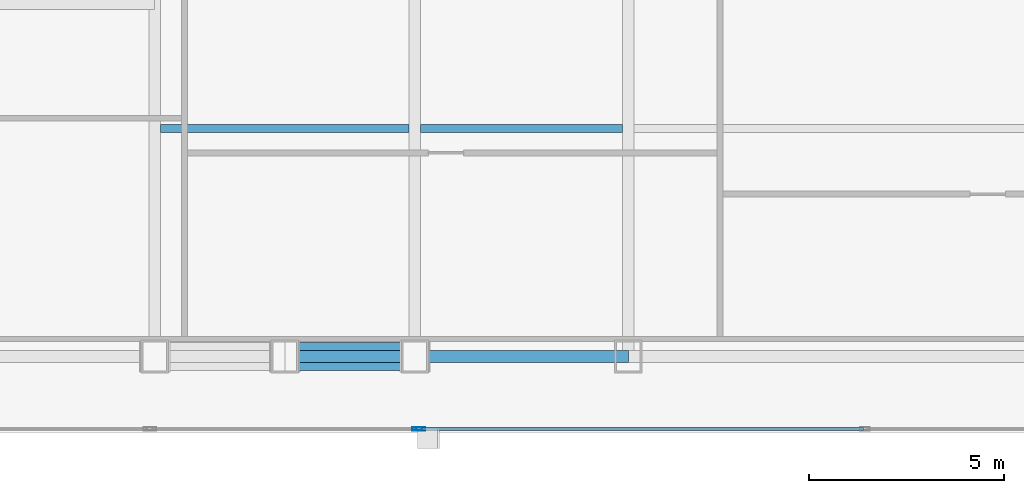
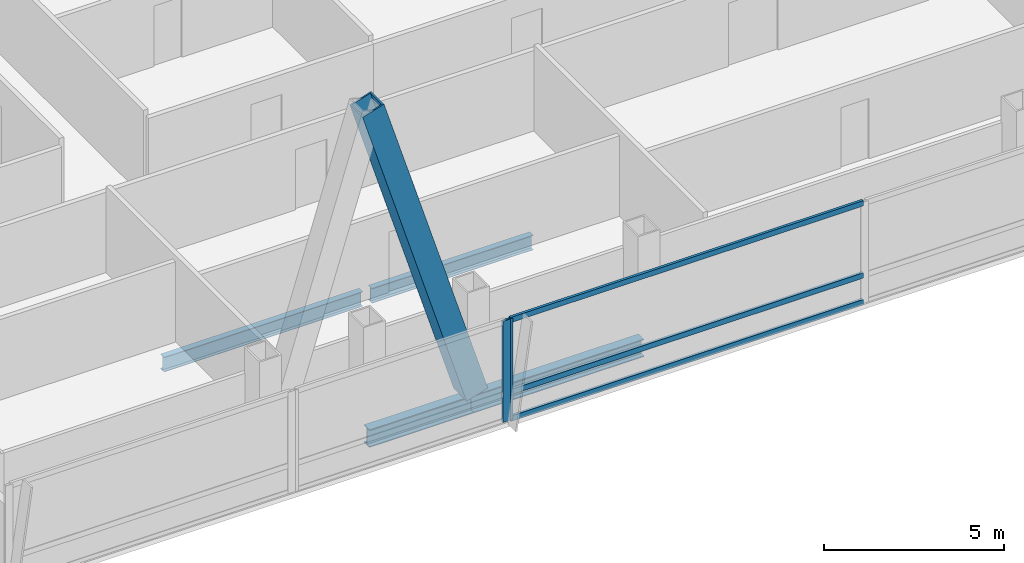
# One storey, part 8 of 30: 6 members, 4 beams, 2 elements without a shape of their own.
"""IFC4 building model written with IfcOpenShell, lengths in metres."""

from ifc_helpers import new_model, si_unit, direction, frame, origin, origin_2d, place, context, subcontext, project, spatial, hollow_rectangle, i_section, extrude, material, material_profile, profile_set, type_object, element, aggregate, save


model = new_model("IFC4")

# Units and contexts
model_context = context("Model", 3, precision=1e-05, world=origin(), true_north=direction((0.0, 1.0)))
body_context = subcontext(model_context, "Body", "Model", "MODEL_VIEW")
ifc_project = project(units=[si_unit("LENGTHUNIT", "METRE"), si_unit("AREAUNIT", "SQUARE_METRE"), si_unit("VOLUMEUNIT", "CUBIC_METRE"), si_unit("PLANEANGLEUNIT", "RADIAN"), si_unit("MASSUNIT", "GRAM", prefix="KILO")], contexts=[model_context])

# Site, building, storey
site_placement = place(None, origin())
site = spatial("IfcSite", under=ifc_project, at=site_placement, CompositionType="ELEMENT")
building_placement = place(site_placement, origin())
building = spatial("IfcBuilding", under=site, at=building_placement, Name="Khoronbel Lancet Exchange", CompositionType="ELEMENT")
storey_placement = place(building_placement, frame((0.0, 0.0, 157.800048828125)))
storey = spatial("IfcBuildingStorey", under=building, at=storey_placement, Name="L39", CompositionType="ELEMENT", Elevation=157.800048828125)

# Beams
ifc_material_1 = material(Name="Steel S355", Category="steel")
ifc_material_profile_1 = material_profile(ifc_material_1, i_section(OverallWidth=0.199951171875, OverallDepth=0.5, WebThickness=0.01025390625, FlangeThickness=0.01611328125, at=origin_2d()), Name="IPE 500")
ifc_profile_set_1 = profile_set([ifc_material_profile_1], Name="Steel S355")
beam_type_1 = type_object("IfcBeamType", Name="BM-BJ3", PredefinedType="JOIST", material=ifc_profile_set_1)
beam_1_placement = place(storey_placement, frame((18.375, 16.0, -0.41015625), z_axis=(1.0, 0.0, 0.0), x_axis=(0.0, 1.0, 0.0)))
element("IfcBeam", 1, at=beam_1_placement, inside=storey, type_object=beam_type_1, Name="Level L39 secondary composite joist J01", PredefinedType="JOIST", context=body_context, shape_type="SweptSolid", body=[
    extrude(i_section(OverallWidth=0.199951171875, OverallDepth=0.5, WebThickness=0.01025390625, FlangeThickness=0.01611328125, at=origin_2d()), origin(), (0.0, 0.0, 1.0), 6.375),
])
beam_2_placement = place(storey_placement, frame((25.050048828125, 16.0, -0.41015625), z_axis=(1.0, 0.0, 0.0), x_axis=(0.0, 1.0, 0.0)))
element("IfcBeam", 2, at=beam_2_placement, inside=storey, type_object=beam_type_1, Name="Level L39 secondary composite joist J02", PredefinedType="JOIST", context=body_context, shape_type="SweptSolid", body=[
    extrude(i_section(OverallWidth=0.199951171875, OverallDepth=0.5, WebThickness=0.01025390625, FlangeThickness=0.01611328125, at=origin_2d()), origin(), (0.0, 0.0, 1.0), 5.175048828125),
])
ifc_material_profile_2 = material_profile(ifc_material_1, i_section(OverallWidth=0.300048828125, OverallDepth=0.60009765625, WebThickness=0.015380859375, FlangeThickness=0.030029296875, at=origin_2d()), Name="HEB 600")
ifc_profile_set_2 = profile_set([ifc_material_profile_2], Name="Steel S355")
beam_type_2 = type_object("IfcBeamType", Name="BM-BSP2", PredefinedType="SPANDREL", material=ifc_profile_set_2)
beam_3_placement = place(storey_placement, frame((21.5625, 10.14990234375, -0.4599609375), z_axis=(1.0, 0.0, 0.0), x_axis=(0.0, 1.0, 0.0)))
element("IfcBeam", 3, at=beam_3_placement, inside=storey, type_object=beam_type_2, Name="Level L39 perimeter spandrel beam SP03", PredefinedType="SPANDREL", context=body_context, shape_type="SweptSolid", body=[
    extrude(i_section(OverallWidth=0.300048828125, OverallDepth=0.60009765625, WebThickness=0.015380859375, FlangeThickness=0.030029296875, at=origin_2d()), origin(), (0.0, 0.0, 1.0), 3.33740234375),
])
beam_4_placement = place(storey_placement, frame((24.89990234375, 10.14990234375, -0.4599609375), z_axis=(1.0, 0.0, 0.0), x_axis=(0.0, 1.0, 0.0)))
element("IfcBeam", 4, at=beam_4_placement, inside=storey, type_object=beam_type_2, Name="Level L39 perimeter spandrel beam SP04", PredefinedType="SPANDREL", context=body_context, shape_type="SweptSolid", body=[
    extrude(i_section(OverallWidth=0.300048828125, OverallDepth=0.60009765625, WebThickness=0.015380859375, FlangeThickness=0.030029296875, at=origin_2d()), origin(), (0.0, 0.0, 1.0), 5.47509765625),
])

# Curtain wall, member
ifc_material_2 = material(Name="Low-E Solar Control Insulating Glass", Category="glass")
curtain_wall_type = type_object("IfcCurtainWallType", Name="CW-3", PredefinedType="NOTDEFINED", material=ifc_material_2)
curtain_wall_1_placement = place(storey_placement, origin())
curtain_wall_1 = element("IfcCurtainWall", 5, at=curtain_wall_1_placement, inside=storey, type_object=curtain_wall_type, Name="Unitised curtain wall CW-L39-SWB", PredefinedType="NOTDEFINED")
ifc_material_3 = material(Name="Bronze-Anodised Aluminium 6063-T6", Category="aluminium")
ifc_material_profile_3 = material_profile(ifc_material_3, hollow_rectangle(XDim=0.0849609375, YDim=0.239990234375, WallThickness=0.006103515625, at=origin_2d()), Name="ALU MULLION 85x240")
ifc_profile_set_3 = profile_set([ifc_material_profile_3], Name="Bronze-Anodised Aluminium 6063-T6")
member_type_1 = type_object("IfcMemberType", Name="MEM-CWM1", PredefinedType="MULLION", material=ifc_profile_set_3)
member_1_placement = place(storey_placement, frame((24.95751953125, 8.2900390625, 0.0), z_axis=(0.0, 0.0, 1.0), x_axis=(0.0, 1.0, 0.0)))
member_1 = element("IfcMember", 6, at=member_1_placement, type_object=member_type_1, Name="CW3 mullion 2", PredefinedType="MULLION", context=body_context, shape_type="SweptSolid", body=[
    extrude(hollow_rectangle(XDim=0.0849609375, YDim=0.239990234375, WallThickness=0.006103515625, at=origin_2d()), origin(), (0.0, 0.0, 1.0), 3.43994140625),
])
aggregate(curtain_wall_1, [member_1])

# Curtain wall, members
curtain_wall_2_placement = place(storey_placement, origin())
curtain_wall_2 = element("IfcCurtainWall", 7, at=curtain_wall_2_placement, inside=storey, type_object=curtain_wall_type, Name="Unitised curtain wall CW-L39-SCV", PredefinedType="NOTDEFINED")
member_2_placement = place(storey_placement, frame((25.04248046875, 8.2900390625, 0.0), z_axis=(0.0, 0.0, 1.0), x_axis=(0.0, 1.0, 0.0)))
member_2 = element("IfcMember", 8, at=member_2_placement, type_object=member_type_1, Name="CW3 mullion 1", PredefinedType="MULLION", context=body_context, shape_type="SweptSolid", body=[
    extrude(hollow_rectangle(XDim=0.0849609375, YDim=0.239990234375, WallThickness=0.006103515625, at=origin_2d()), origin(), (0.0, 0.0, 1.0), 3.43994140625),
])
ifc_material_profile_4 = material_profile(ifc_material_3, hollow_rectangle(XDim=0.0849609375, YDim=0.179931640625, WallThickness=0.0048828125, at=origin_2d()), Name="ALU TRANSOM 85x180")
ifc_profile_set_4 = profile_set([ifc_material_profile_4], Name="Bronze-Anodised Aluminium 6063-T6")
member_type_2 = type_object("IfcMemberType", Name="MEM-CWT1", PredefinedType="USERDEFINED", material=ifc_profile_set_4)
member_3_placement = place(storey_placement, frame((25.0849609375, 8.2900390625, 0.04248046875), z_axis=(1.0, 0.0, 0.0), x_axis=(0.0, 1.0, 0.0)))
member_3 = element("IfcMember", 9, at=member_3_placement, type_object=member_type_2, Name="CW3 transom 1.1", ObjectType="TRANSOM", PredefinedType="USERDEFINED", context=body_context, shape_type="SweptSolid", body=[
    extrude(hollow_rectangle(XDim=0.0849609375, YDim=0.179931640625, WallThickness=0.0048828125, at=origin_2d()), origin(), (0.0, 0.0, 1.0), 11.322509765625),
])
member_4_placement = place(storey_placement, frame((25.0849609375, 8.2900390625, 0.949951171875), z_axis=(1.0, 0.0, 0.0), x_axis=(0.0, 1.0, 0.0)))
member_4 = element("IfcMember", 10, at=member_4_placement, type_object=member_type_2, Name="CW3 transom 1.2", ObjectType="TRANSOM", PredefinedType="USERDEFINED", context=body_context, shape_type="SweptSolid", body=[
    extrude(hollow_rectangle(XDim=0.0849609375, YDim=0.179931640625, WallThickness=0.0048828125, at=origin_2d()), origin(), (0.0, 0.0, 1.0), 11.322509765625),
])
member_5_placement = place(storey_placement, frame((25.0849609375, 8.2900390625, 3.3974609375), z_axis=(1.0, 0.0, 0.0), x_axis=(0.0, 1.0, 0.0)))
member_5 = element("IfcMember", 11, at=member_5_placement, type_object=member_type_2, Name="CW3 transom 1.3", ObjectType="TRANSOM", PredefinedType="USERDEFINED", context=body_context, shape_type="SweptSolid", body=[
    extrude(hollow_rectangle(XDim=0.0849609375, YDim=0.179931640625, WallThickness=0.0048828125, at=origin_2d()), origin(), (0.0, 0.0, 1.0), 11.322509765625),
])
aggregate(curtain_wall_2, [member_2, member_3, member_4, member_5])

# Member
ifc_material_4 = material(Name="Steel S460", Category="steel")
ifc_material_profile_5 = material_profile(ifc_material_4, hollow_rectangle(XDim=0.719970703125, YDim=0.719970703125, WallThickness=0.050048828125, at=origin_2d()), Name="BOX 720x720x50")
ifc_profile_set_5 = profile_set([ifc_material_profile_5], Name="Steel S460")
member_type_3 = type_object("IfcMemberType", Name="MEM-MB2", PredefinedType="BRACE", material=ifc_profile_set_5)
member_6_placement = place(storey_placement, frame((24.89990234375, 10.14990234375, 0.0), z_axis=(-0.295242108906, 0.0, 0.955422470496), x_axis=(0.0, -1.0, 0.0)))
element("IfcMember", 12, at=member_6_placement, inside=storey, type_object=member_type_3, Name="Perimeter lancet brace tier 13 S-W-R", PredefinedType="BRACE", context=body_context, shape_type="SweptSolid", body=[
    extrude(hollow_rectangle(XDim=0.719970703125, YDim=0.719970703125, WallThickness=0.050048828125, at=origin_2d()), origin(), (0.0, 0.0, 1.0), 11.303955078125),
])

save(model, "model.ifc")
